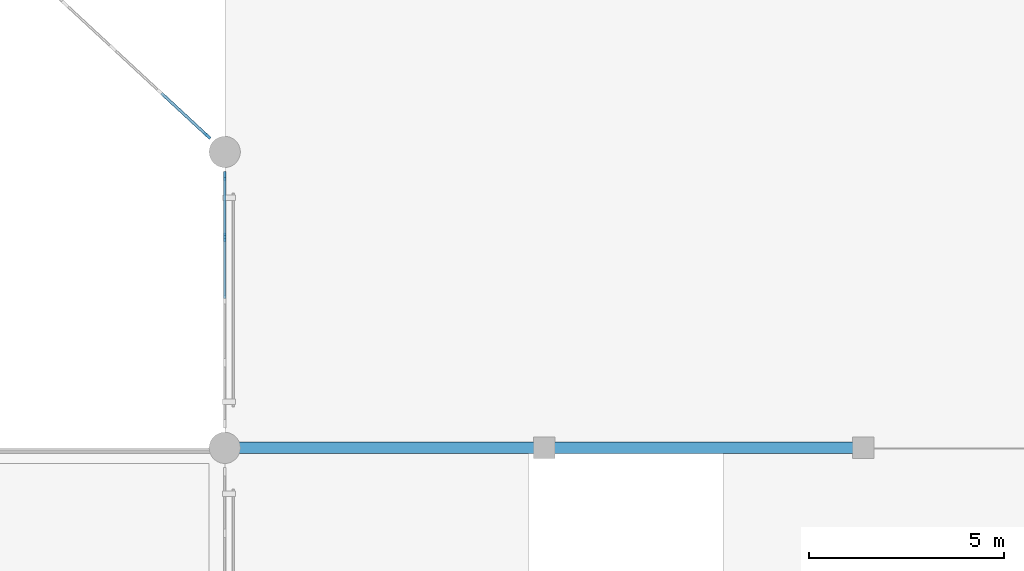
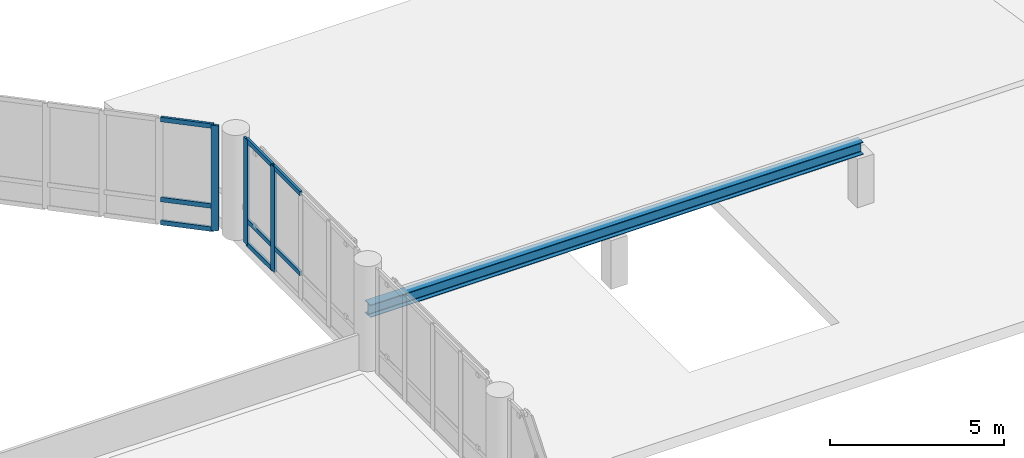
# One storey, part 18 of 49: 11 members, 1 beam, 2 elements without a shape of their own.
"""IFC4 building model written with IfcOpenShell, lengths in metres."""

from ifc_helpers import new_model, si_unit, direction, frame, origin, origin_2d, place, context, subcontext, project, spatial, rectangle, i_section, extrude, material, material_profile, profile_set, type_object, element, aggregate, save


model = new_model("IFC4")

# Units and contexts
model_context = context("Model", 3, precision=1e-05, world=origin(), true_north=direction((0.0, 1.0)))
body_context = subcontext(model_context, "Body", "Model", "MODEL_VIEW")
ifc_project = project(units=[si_unit("LENGTHUNIT", "METRE"), si_unit("AREAUNIT", "SQUARE_METRE"), si_unit("VOLUMEUNIT", "CUBIC_METRE"), si_unit("PLANEANGLEUNIT", "RADIAN"), si_unit("MASSUNIT", "GRAM", prefix="KILO")], contexts=[model_context])

# Site, building, storey
site_placement = place(None, origin())
site = spatial("IfcSite", under=ifc_project, at=site_placement, CompositionType="ELEMENT")
building_placement = place(site_placement, origin())
building = spatial("IfcBuilding", under=site, at=building_placement, Name="Qandaris Square Conservatory and Botanical Centre", CompositionType="ELEMENT")
storey_placement = place(building_placement, frame((0.0, 0.0, 10.199951171875)))
storey = spatial("IfcBuildingStorey", under=building, at=storey_placement, Name="L02", CompositionType="ELEMENT", Elevation=10.199951171875)

# Curtain wall, members
ifc_material_1 = material(Name="Anodised Aluminium", Category="aluminium")
curtain_wall_type_1 = type_object("IfcCurtainWallType", Name="Unitised Curtain Wall CW-2-644x370", PredefinedType="USERDEFINED", material=ifc_material_1)
curtain_wall_1_placement = place(storey_placement, origin())
curtain_wall_1 = element("IfcCurtainWall", 1, at=curtain_wall_1_placement, inside=storey, type_object=curtain_wall_type_1, Name="Curtain Wall CW-CON-L02-3-7", ObjectType="GLAZED CURTAIN WALL", PredefinedType="USERDEFINED")
ifc_material_profile_1 = material_profile(ifc_material_1, rectangle(XDim=0.074951171875, YDim=0.219970703125, at=origin_2d()), Name="ALU-MUL 75x220")
ifc_profile_set_1 = profile_set([ifc_material_profile_1], Name="Anodised Aluminium")
member_type_1 = type_object("IfcMemberType", Name="Conservatory Heavy Mullion 75x220", PredefinedType="MULLION", material=ifc_profile_set_1)
member_1_placement = place(storey_placement, frame((57.199951171875, 105.610107421875, 0.0), z_axis=(0.0, 0.0, 1.0), x_axis=(-1.0, 0.0, 0.0)))
member_1 = element("IfcMember", 2, at=member_1_placement, type_object=member_type_1, Name="CW-2-644x370 mullion 4", PredefinedType="MULLION", context=body_context, shape_type="SweptSolid", body=[
    extrude(rectangle(XDim=0.074951171875, YDim=0.219970703125, at=origin_2d()), origin(), (0.0, 0.0, 1.0), 3.699951171875),
])
member_2_placement = place(storey_placement, frame((57.199951171875, 107.1826171875, 0.0), z_axis=(0.0, 0.0, 1.0), x_axis=(-1.0, 0.0, 0.0)))
member_2 = element("IfcMember", 3, at=member_2_placement, type_object=member_type_1, Name="CW-2-644x370 mullion 5", PredefinedType="MULLION", context=body_context, shape_type="SweptSolid", body=[
    extrude(rectangle(XDim=0.074951171875, YDim=0.219970703125, at=origin_2d()), origin(), (0.0, 0.0, 1.0), 3.699951171875),
])

# Curtain wall, member
curtain_wall_type_2 = type_object("IfcCurtainWallType", Name="Unitised Curtain Wall CW-2-1002x370", PredefinedType="USERDEFINED", material=ifc_material_1)
curtain_wall_2_placement = place(storey_placement, origin())
curtain_wall_2 = element("IfcCurtainWall", 4, at=curtain_wall_2_placement, inside=storey, type_object=curtain_wall_type_2, Name="Curtain Wall CW-CON-L02-4-1", ObjectType="GLAZED CURTAIN WALL", PredefinedType="USERDEFINED")
member_3_placement = place(storey_placement, frame((56.7470703125, 108.2197265625, 0.0), z_axis=(0.0, 0.0, 1.0), x_axis=(-0.679761784592, -0.733432966404, 0.0)))
member_3 = element("IfcMember", 5, at=member_3_placement, type_object=member_type_1, Name="CW-2-1002x370 mullion 1", PredefinedType="MULLION", context=body_context, shape_type="SweptSolid", body=[
    extrude(rectangle(XDim=0.074951171875, YDim=0.219970703125, at=origin_2d()), origin(), (0.0, 0.0, 1.0), 3.699951171875),
])

# Member
ifc_material_profile_2 = material_profile(ifc_material_1, rectangle(XDim=0.074951171875, YDim=0.159912109375, at=origin_2d()), Name="ALU-TRN 75x160")
ifc_profile_set_2 = profile_set([ifc_material_profile_2], Name="Anodised Aluminium")
member_type_2 = type_object("IfcMemberType", Name="Conservatory Heavy Transom 75x160", PredefinedType="USERDEFINED", material=ifc_profile_set_2)
member_4_placement = place(storey_placement, frame((57.199951171875, 104.03759765625, 0.85009765625), z_axis=(0.0, 1.0, 0.0), x_axis=(-1.0, 0.0, 0.0)))
member_4 = element("IfcMember", 6, at=member_4_placement, type_object=member_type_2, Name="CW-2-644x370 transom 3.2", ObjectType="TRANSOM", PredefinedType="USERDEFINED", context=body_context, shape_type="SweptSolid", body=[
    extrude(rectangle(XDim=0.074951171875, YDim=0.159912109375, at=origin_2d()), origin(), (0.0, 0.0, 1.0), 1.534912109375),
])

member_5_placement = place(storey_placement, frame((57.199951171875, 104.03759765625, 3.66259765625), z_axis=(0.0, 1.0, 0.0), x_axis=(-1.0, 0.0, 0.0)))
member_5 = element("IfcMember", 7, at=member_5_placement, type_object=member_type_2, Name="CW-2-644x370 transom 3.3", ObjectType="TRANSOM", PredefinedType="USERDEFINED", context=body_context, shape_type="SweptSolid", body=[
    extrude(rectangle(XDim=0.074951171875, YDim=0.159912109375, at=origin_2d()), origin(), (0.0, 0.0, 1.0), 1.534912109375),
])

member_6_placement = place(storey_placement, frame((57.199951171875, 105.6474609375, 0.03759765625), z_axis=(0.0, 1.0, 0.0), x_axis=(-1.0, 0.0, 0.0)))
member_6 = element("IfcMember", 8, at=member_6_placement, type_object=member_type_2, Name="CW-2-644x370 transom 4.1", ObjectType="TRANSOM", PredefinedType="USERDEFINED", context=body_context, shape_type="SweptSolid", body=[
    extrude(rectangle(XDim=0.074951171875, YDim=0.159912109375, at=origin_2d()), origin(), (0.0, 0.0, 1.0), 1.49755859375),
])

member_7_placement = place(storey_placement, frame((57.199951171875, 105.6474609375, 0.85009765625), z_axis=(0.0, 1.0, 0.0), x_axis=(-1.0, 0.0, 0.0)))
member_7 = element("IfcMember", 9, at=member_7_placement, type_object=member_type_2, Name="CW-2-644x370 transom 4.2", ObjectType="TRANSOM", PredefinedType="USERDEFINED", context=body_context, shape_type="SweptSolid", body=[
    extrude(rectangle(XDim=0.074951171875, YDim=0.159912109375, at=origin_2d()), origin(), (0.0, 0.0, 1.0), 1.49755859375),
])

member_8_placement = place(storey_placement, frame((57.199951171875, 105.6474609375, 3.66259765625), z_axis=(0.0, 1.0, 0.0), x_axis=(-1.0, 0.0, 0.0)))
member_8 = element("IfcMember", 10, at=member_8_placement, type_object=member_type_2, Name="CW-2-644x370 transom 4.3", ObjectType="TRANSOM", PredefinedType="USERDEFINED", context=body_context, shape_type="SweptSolid", body=[
    extrude(rectangle(XDim=0.074951171875, YDim=0.159912109375, at=origin_2d()), origin(), (0.0, 0.0, 1.0), 1.49755859375),
])

aggregate(curtain_wall_1, [member_1, member_2, member_4, member_5, member_6, member_7, member_8])

member_9_placement = place(storey_placement, frame((56.719482421875, 108.245361328125, 0.03759765625), z_axis=(-0.7334798559, 0.679711189395, 0.0), x_axis=(-0.679711189395, -0.7334798559, 0.0)))
member_9 = element("IfcMember", 11, at=member_9_placement, type_object=member_type_2, Name="CW-2-1002x370 transom 1.1", ObjectType="TRANSOM", PredefinedType="USERDEFINED", context=body_context, shape_type="SweptSolid", body=[
    extrude(rectangle(XDim=0.074951171875, YDim=0.159912109375, at=origin_2d()), origin(), (0.0, 0.0, 1.0), 1.557373046875),
])

member_10_placement = place(storey_placement, frame((56.719482421875, 108.245361328125, 0.85009765625), z_axis=(-0.7334798559, 0.679711189395, 0.0), x_axis=(-0.679711189395, -0.7334798559, 0.0)))
member_10 = element("IfcMember", 12, at=member_10_placement, type_object=member_type_2, Name="CW-2-1002x370 transom 1.2", ObjectType="TRANSOM", PredefinedType="USERDEFINED", context=body_context, shape_type="SweptSolid", body=[
    extrude(rectangle(XDim=0.074951171875, YDim=0.159912109375, at=origin_2d()), origin(), (0.0, 0.0, 1.0), 1.557373046875),
])

member_11_placement = place(storey_placement, frame((56.719482421875, 108.245361328125, 3.66259765625), z_axis=(-0.7334798559, 0.679711189395, 0.0), x_axis=(-0.679711189395, -0.7334798559, 0.0)))
member_11 = element("IfcMember", 13, at=member_11_placement, type_object=member_type_2, Name="CW-2-1002x370 transom 1.3", ObjectType="TRANSOM", PredefinedType="USERDEFINED", context=body_context, shape_type="SweptSolid", body=[
    extrude(rectangle(XDim=0.074951171875, YDim=0.159912109375, at=origin_2d()), origin(), (0.0, 0.0, 1.0), 1.557373046875),
])

aggregate(curtain_wall_2, [member_3, member_9, member_10, member_11])

# Beam
ifc_material_2 = material(Name="Steel S355", Category="steel")
ifc_material_profile_3 = material_profile(ifc_material_2, i_section(OverallWidth=0.300048828125, OverallDepth=0.43994140625, WebThickness=0.011474609375, FlangeThickness=0.02099609375, FilletRadius=0.027099609375, at=origin_2d()), Name="HEA 450")
ifc_profile_set_3 = profile_set([ifc_material_profile_3], Name="Steel S355")
beam_type = type_object("IfcBeamType", Name="Pavilion Ridge Girder HEA 450", PredefinedType="BEAM", material=ifc_profile_set_3)
beam_placement = place(storey_placement, frame((57.199951171875, 100.199951171875, 1.929931640625), z_axis=(1.0, 0.0, 0.0), x_axis=(0.0, 1.0, 0.0)))
element("IfcBeam", 14, at=beam_placement, inside=storey, type_object=beam_type, Name="North Pavilion Ridge Girder", PredefinedType="BEAM", context=body_context, shape_type="SweptSolid", body=[
    extrude(i_section(OverallWidth=0.300048828125, OverallDepth=0.43994140625, WebThickness=0.011474609375, FlangeThickness=0.02099609375, FilletRadius=0.027099609375, at=origin_2d()), origin(), (0.0, 0.0, 1.0), 16.400146484375),
])

save(model, "model.ifc")
